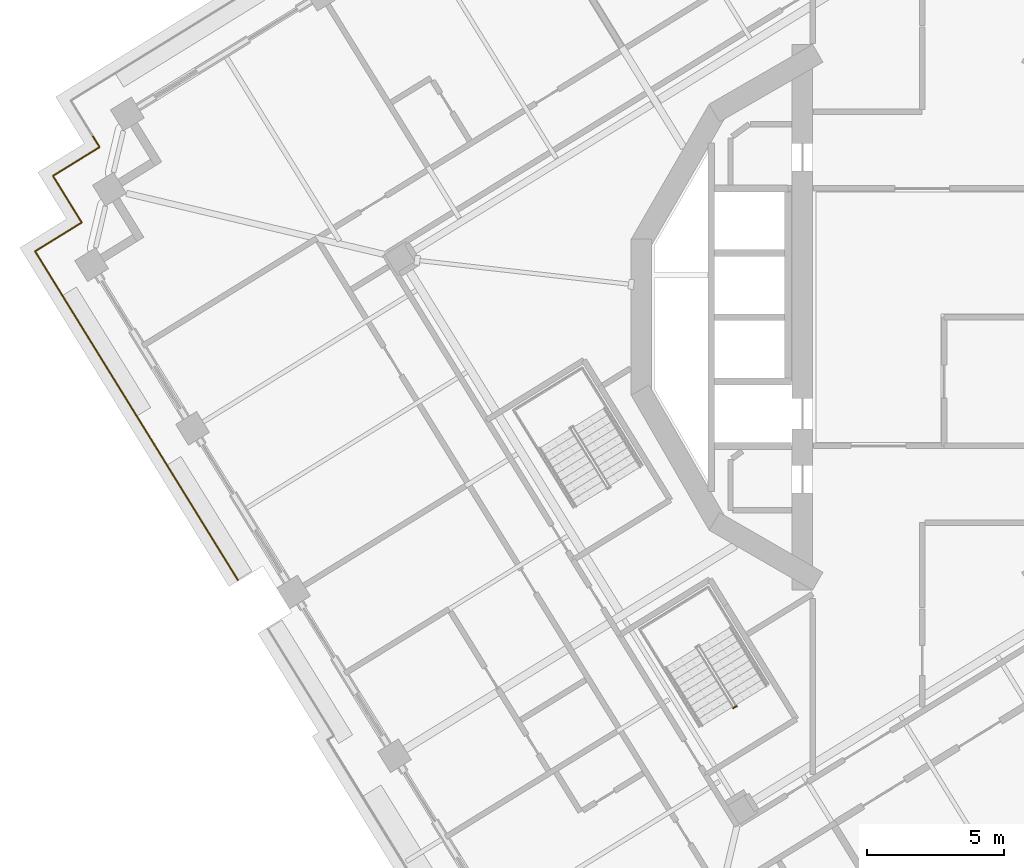
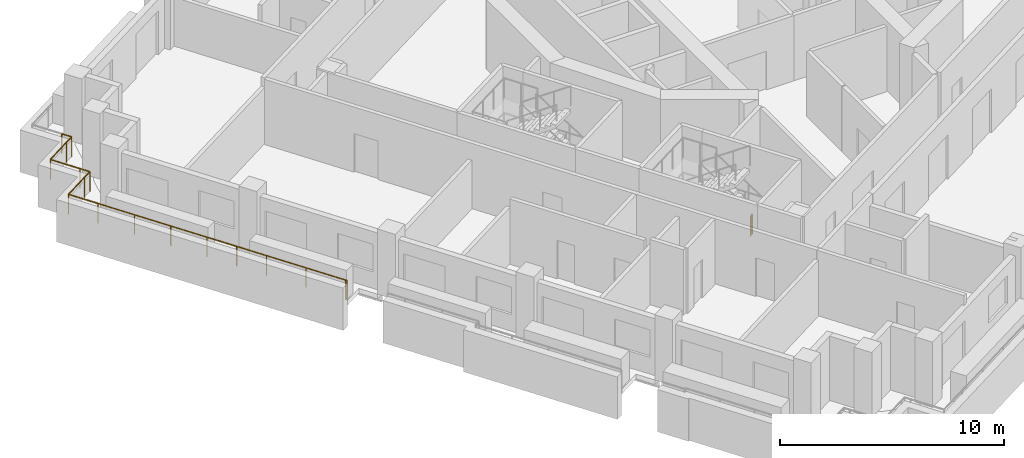
# One storey, part 13 of 21: 2 railings.
"""IFC4 building model written with IfcOpenShell, lengths in metres."""

from ifc_helpers import new_model, si_unit, direction, frame, origin, origin_2d, place, context, subcontext, project, spatial, circle, extrude, material, type_object, element, save


model = new_model("IFC4")

# Units and contexts
model_context = context("Model", 3, precision=1e-05, world=origin(), true_north=direction((0.0, 1.0)))
body_context = subcontext(model_context, "Body", "Model", "MODEL_VIEW")
ifc_project = project(units=[si_unit("LENGTHUNIT", "METRE"), si_unit("AREAUNIT", "SQUARE_METRE"), si_unit("VOLUMEUNIT", "CUBIC_METRE"), si_unit("PLANEANGLEUNIT", "RADIAN"), si_unit("MASSUNIT", "GRAM", prefix="KILO")], contexts=[model_context])

# Site, building, storey
site_placement = place(None, origin())
site = spatial("IfcSite", under=ifc_project, at=site_placement, CompositionType="ELEMENT")
building_placement = place(site_placement, origin())
building = spatial("IfcBuilding", under=site, at=building_placement, Name="Cantera Rosa Tower", CompositionType="ELEMENT")
storey_placement = place(building_placement, frame((0.0, 0.0, 170.39990234375)))
storey = spatial("IfcBuildingStorey", under=building, at=storey_placement, Name="L37", CompositionType="ELEMENT", Elevation=170.39990234375)

# Railings
ifc_material_1 = material(Name="Stainless steel and laminated glass", Category="steel")
railing_type_1 = type_object("IfcRailingType", Name="GUARD 1100", PredefinedType="BALUSTRADE", material=ifc_material_1)
railing_1_placement = place(storey_placement, frame((-24.977783203125, -9.602294921875, 0.0)))
element("IfcRailing", 1, at=railing_1_placement, inside=storey, type_object=railing_type_1, Name="GUARD L37-6", PredefinedType="BALUSTRADE", context=body_context, shape_type="SweptSolid", body=[
    extrude(circle(Radius=0.030029296875, at=origin_2d()), frame((0.0, 0.0, 1.070068359375), z_axis=(-0.523707774199, 0.851897979364, 0.0), x_axis=(-0.851897979364, -0.523707774199, 0.0)), (0.0, 0.0, 1.0), 0.06982421875),
    extrude(circle(Radius=0.030029296875, at=origin_2d()), frame((-0.03662109375, 0.0595703125, 1.070068359375), z_axis=(-0.525022161202, 0.851088556054, 0.0), x_axis=(-0.851088556054, -0.525022161202, 0.0)), (0.0, 0.0, 1.0), 4.02001953125),
    extrude(circle(Radius=0.030029296875, at=origin_2d()), frame((-2.147216796875, 3.48095703125, 1.070068359375), z_axis=(-0.524964362564, 0.851124208349, 0.0), x_axis=(-0.851124208349, -0.524964362564, 0.0)), (0.0, 0.0, 1.0), 3.0),
    extrude(circle(Radius=0.030029296875, at=origin_2d()), frame((-3.72216796875, 6.034423828125, 1.070068359375), z_axis=(-0.524968277683, 0.851121793533, 0.0), x_axis=(-0.851121793533, -0.524968277683, 0.0)), (0.0, 0.0, 1.0), 5.519775390625),
    extrude(circle(Radius=0.030029296875, at=origin_2d()), frame((-6.619873046875, 10.732421875, 1.070068359375), z_axis=(-0.524986950369, 0.851110276017, 0.0), x_axis=(-0.851110276017, -0.524986950369, 0.0)), (0.0, 0.0, 1.0), 1.500244140625),
    extrude(circle(Radius=0.030029296875, at=origin_2d()), frame((-7.407470703125, 12.00927734375, 1.070068359375), z_axis=(0.85118298814, 0.524869051004, 0.0), x_axis=(-0.524869051004, 0.85118298814, 0.0)), (0.0, 0.0, 1.0), 1.5),
    extrude(circle(Radius=0.030029296875, at=origin_2d()), frame((-6.130615234375, 12.796630859375, 1.070068359375), z_axis=(0.851138143202, 0.52494176933, 0.0), x_axis=(-0.52494176933, 0.851138143202, 0.0)), (0.0, 0.0, 1.0), 0.5),
    extrude(circle(Radius=0.030029296875, at=origin_2d()), frame((-5.705078125, 13.05908203125, 1.070068359375), z_axis=(-0.52494176933, 0.851138143202, 0.0), x_axis=(-0.851138143202, -0.52494176933, 0.0)), (0.0, 0.0, 1.0), 0.5),
    extrude(circle(Radius=0.030029296875, at=origin_2d()), frame((-5.967529296875, 13.484619140625, 1.070068359375), z_axis=(-0.524986950369, 0.851110276017, 0.0), x_axis=(-0.851110276017, -0.524986950369, 0.0)), (0.0, 0.0, 1.0), 1.500244140625),
    extrude(circle(Radius=0.030029296875, at=origin_2d()), frame((-6.755126953125, 14.761474609375, 1.070068359375), z_axis=(0.851138143202, 0.52494176933, 0.0), x_axis=(-0.52494176933, 0.851138143202, 0.0)), (0.0, 0.0, 1.0), 1.5),
    extrude(circle(Radius=0.030029296875, at=origin_2d()), frame((-5.478515625, 15.548828125, 1.070068359375), z_axis=(0.851138143202, 0.52494176933, 0.0), x_axis=(-0.52494176933, 0.851138143202, 0.0)), (0.0, 0.0, 1.0), 0.5),
    extrude(circle(Radius=0.030029296875, at=origin_2d()), frame((-5.052978515625, 15.811279296875, 1.070068359375), z_axis=(-0.52494176933, 0.851138143202, 0.0), x_axis=(-0.851138143202, -0.52494176933, 0.0)), (0.0, 0.0, 1.0), 0.5),
    extrude(circle(Radius=0.02490234375, at=origin_2d()), origin(), (0.0, 0.0, 1.0), 1.0400390625),
    extrude(circle(Radius=0.02490234375, at=origin_2d()), frame((-0.03662109375, 0.0595703125, 0.0)), (0.0, 0.0, 1.0), 1.0400390625),
    extrude(circle(Radius=0.02490234375, at=origin_2d()), frame((-1.091796875, 1.770263671875, 0.0)), (0.0, 0.0, 1.0), 1.0400390625),
    extrude(circle(Radius=0.02490234375, at=origin_2d()), frame((-2.147216796875, 3.48095703125, 0.0)), (0.0, 0.0, 1.0), 1.0400390625),
    extrude(circle(Radius=0.02490234375, at=origin_2d()), frame((-2.9345703125, 4.7578125, 0.0)), (0.0, 0.0, 1.0), 1.0400390625),
    extrude(circle(Radius=0.02490234375, at=origin_2d()), frame((-3.72216796875, 6.034423828125, 0.0)), (0.0, 0.0, 1.0), 1.0400390625),
    extrude(circle(Radius=0.02490234375, at=origin_2d()), frame((-4.68798828125, 7.600341796875, 0.0)), (0.0, 0.0, 1.0), 1.0400390625),
    extrude(circle(Radius=0.02490234375, at=origin_2d()), frame((-5.654052734375, 9.16650390625, 0.0)), (0.0, 0.0, 1.0), 1.0400390625),
    extrude(circle(Radius=0.02490234375, at=origin_2d()), frame((-6.619873046875, 10.732421875, 0.0)), (0.0, 0.0, 1.0), 1.0400390625),
    extrude(circle(Radius=0.02490234375, at=origin_2d()), frame((-7.407470703125, 12.00927734375, 0.0)), (0.0, 0.0, 1.0), 1.0400390625),
    extrude(circle(Radius=0.02490234375, at=origin_2d()), frame((-6.130615234375, 12.796630859375, 0.0)), (0.0, 0.0, 1.0), 1.0400390625),
    extrude(circle(Radius=0.02490234375, at=origin_2d()), frame((-5.705078125, 13.05908203125, 0.0)), (0.0, 0.0, 1.0), 1.0400390625),
    extrude(circle(Radius=0.02490234375, at=origin_2d()), frame((-5.967529296875, 13.484619140625, 0.0)), (0.0, 0.0, 1.0), 1.0400390625),
    extrude(circle(Radius=0.02490234375, at=origin_2d()), frame((-6.755126953125, 14.761474609375, 0.0)), (0.0, 0.0, 1.0), 1.0400390625),
    extrude(circle(Radius=0.02490234375, at=origin_2d()), frame((-5.478515625, 15.548828125, 0.0)), (0.0, 0.0, 1.0), 1.0400390625),
    extrude(circle(Radius=0.02490234375, at=origin_2d()), frame((-5.052978515625, 15.811279296875, 0.0)), (0.0, 0.0, 1.0), 1.0400390625),
    extrude(circle(Radius=0.02490234375, at=origin_2d()), frame((-5.3154296875, 16.23681640625, 0.0)), (0.0, 0.0, 1.0), 1.0400390625),
])
ifc_material_2 = material(Name="Steel S355J2 (EN 10025-2)", Category="steel")
railing_type_2 = type_object("IfcRailingType", Name="STAIR GUARD 1100", PredefinedType="GUARDRAIL", material=ifc_material_2)
railing_2_placement = place(storey_placement, frame((-6.77490234375, -14.19482421875, 0.0)))
element("IfcRailing", 2, at=railing_2_placement, inside=storey, type_object=railing_type_2, Name="L37 ST-33 stair guard 3", PredefinedType="GUARDRAIL", context=body_context, shape_type="SweptSolid", body=[
    extrude(circle(Radius=0.02392578125, at=origin_2d()), frame((0.0, 0.0, 1.076171875), z_axis=(-0.851546489876, -0.524279100842, 0.0), x_axis=(0.524279100842, -0.851546489876, 0.0)), (0.0, 0.0, 1.0), 0.14990234375),
    extrude(circle(Radius=0.02099609375, at=origin_2d()), origin(), (0.0, 0.0, 1.0), 1.052001953125),
    extrude(circle(Radius=0.02099609375, at=origin_2d()), frame((-0.127685546875, -0.07861328125, 0.0)), (0.0, 0.0, 1.0), 1.052001953125),
])

save(model, "model.ifc")
